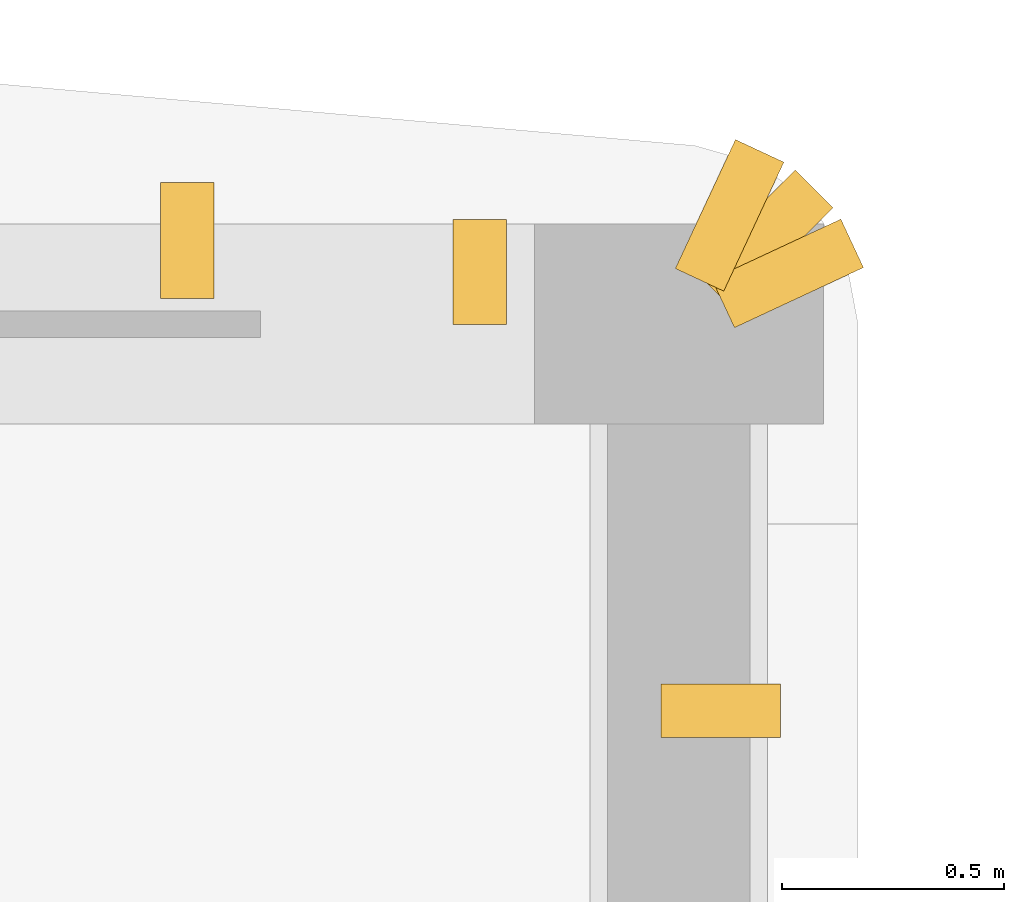
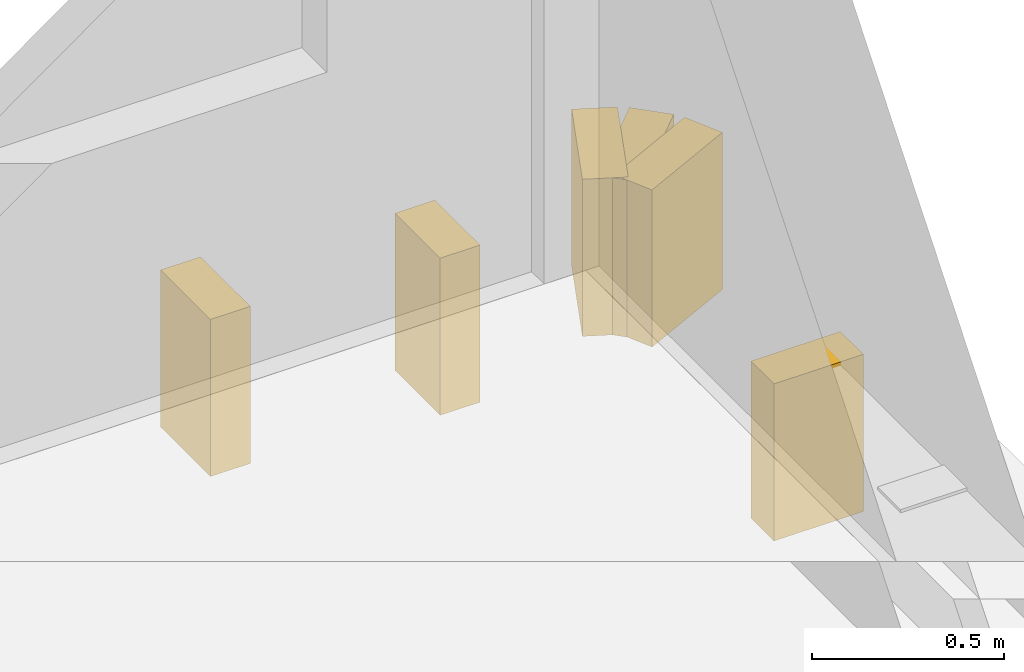
# One storey, part 20 of 20: 6 coverings.
"""IFC4 building model written with IfcOpenShell, lengths in metres."""

from ifc_helpers import new_model, si_unit, direction, frame, origin, origin_2d, place, context, subcontext, project, spatial, rectangle, extrude, material, layer, layer_set, type_object, element, save


model = new_model("IFC4")

# Units and contexts
model_context = context("Model", 3, precision=1e-05, world=origin(), true_north=direction((0.0, 1.0)))
body_context = subcontext(model_context, "Body", "Model", "MODEL_VIEW")
ifc_project = project(units=[si_unit("LENGTHUNIT", "METRE"), si_unit("AREAUNIT", "SQUARE_METRE"), si_unit("VOLUMEUNIT", "CUBIC_METRE"), si_unit("PLANEANGLEUNIT", "RADIAN"), si_unit("MASSUNIT", "GRAM", prefix="KILO")], contexts=[model_context])

# Site, building, storey
site_placement = place(None, origin())
site = spatial("IfcSite", under=ifc_project, at=site_placement, CompositionType="ELEMENT")
building_placement = place(site_placement, origin())
building = spatial("IfcBuilding", under=site, at=building_placement, Name="Dornvale Research Institute", CompositionType="ELEMENT")
storey_placement = place(building_placement, frame((0.0, 0.0, 34.199951171875)))
storey = spatial("IfcBuildingStorey", under=building, at=storey_placement, Name="L07", CompositionType="ELEMENT", Elevation=34.199951171875)

# Coverings
ifc_material = material(Name="Polychrome Glazed Terracotta Visor Rib Ceramic", Category="masonry")
ifc_layer = layer(ifc_material, 0.1201171875)
ifc_layer_set = layer_set([ifc_layer], Name="Polychrome Glazed Terracotta Visor Rib Ceramic")
covering_type = type_object("IfcCoveringType", Name="Covering_VisorBlade_Main", PredefinedType="CLADDING", material=ifc_layer_set)
covering_1_placement = place(storey_placement, frame((40.951904296875, 122.2177734375, -0.489990234375), z_axis=(0.0, 0.0, 1.0), x_axis=(0.0, 1.0, 0.0)))
element("IfcCovering", 1, at=covering_1_placement, inside=storey, type_object=covering_type, Name="L07 V5 canted glazed terracotta visor blade #1250", PredefinedType="CLADDING", context=body_context, shape_type="SweptSolid", body=[
    extrude(rectangle(XDim=0.236083984375, YDim=0.1201171875, at=origin_2d()), origin(), (0.0, 0.0, 1.0), 0.5),
])
covering_2_placement = place(storey_placement, frame((40.294189453125, 122.2880859375, -0.489990234375), z_axis=(0.0, 0.0, 1.0), x_axis=(0.0, 1.0, 0.0)))
element("IfcCovering", 2, at=covering_2_placement, inside=storey, type_object=covering_type, Name="L07 V5 canted glazed terracotta visor blade #1251", PredefinedType="CLADDING", context=body_context, shape_type="SweptSolid", body=[
    extrude(rectangle(XDim=0.260009765625, YDim=0.1201171875, at=origin_2d()), origin(), (0.0, 0.0, 1.0), 0.5),
])
covering_3_placement = place(storey_placement, frame((41.494384765625, 121.22998046875, -0.489990234375), z_axis=(0.0, 0.0, 1.0), x_axis=(1.0, 0.0, 0.0)))
element("IfcCovering", 3, at=covering_3_placement, inside=storey, type_object=covering_type, Name="L07 V5 canted glazed terracotta visor blade #1338", PredefinedType="CLADDING", context=body_context, shape_type="SweptSolid", body=[
    extrude(rectangle(XDim=0.26904296875, YDim=0.1201171875, at=origin_2d()), origin(), (0.0, 0.0, 1.0), 0.5),
])
for number, where, z_axis, x_axis, name in (
    (4, (41.644775390625, 122.214111328125, -0.489990234375), (0.0, 0.0, 1.0), (0.906307787037, 0.422618261741, 0.0), "L07 V5 corner-wrapping visor blade #1342"),
    (5, (41.5908203125, 122.291015625, -0.489990234375), (0.0, 0.0, 1.0), (0.707106781187, 0.707106781187, 0.0), "L07 V5 corner-wrapping visor blade #1343"),
    (6, (41.51416015625, 122.3447265625, -0.489990234375), (0.0, 0.0, 1.0), (0.422618261741, 0.906307787037, 0.0), "L07 V5 corner-wrapping visor blade #1344"),
):
    element("IfcCovering", number, at=place(storey_placement, frame(where, z_axis=z_axis, x_axis=x_axis)), inside=storey, type_object=covering_type, Name=name, PredefinedType="CLADDING", context=body_context, shape_type="SweptSolid", body=[
        extrude(rectangle(XDim=0.320068359375, YDim=0.1201171875, at=origin_2d()), origin(), (0.0, 0.0, 1.0), 0.5),
    ])

save(model, "model.ifc")
